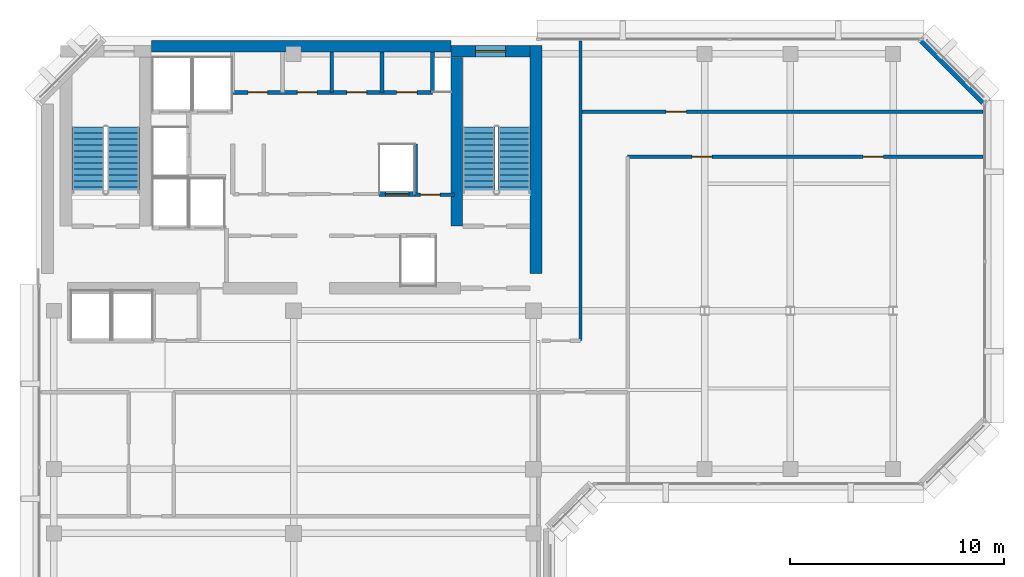
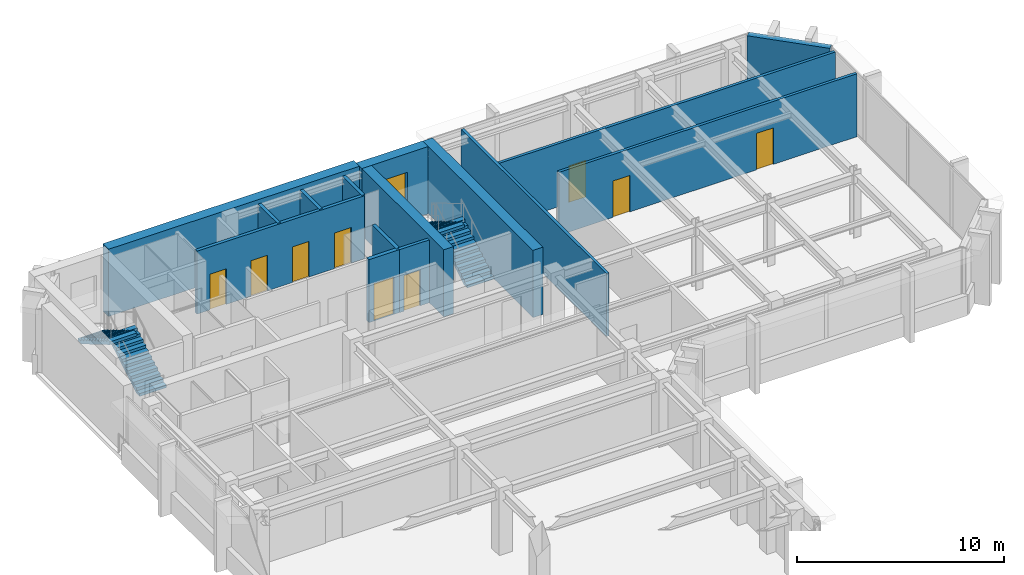
# One storey, part 8 of 11: 15 walls, 9 doors, 4 stair flights, 1 window, 10 openings, 2 elements without a shape of their own.
"""IFC4 building model written with IfcOpenShell, lengths in metres."""

import ifcopenshell
import ifcopenshell.guid

model = None  # the IFC model being written
_history = None  # IfcOwnerHistory: only IFC2X3 demands one
_inside = {}  # id of a spatial element -> (the spatial element, [elements in it])
_under = {}  # id of a project, library or spatial element -> (it, [spatial elements below it])
_declared = {}  # id of a project -> (the project, [libraries it declares])
_typed = {}  # id of a type object -> (the type object, [elements of that type])
_made_of = {}  # id of a material, layer set ... -> (it, [elements and type objects made of it])


def new_model(schema):
    """Start an empty IFC model of exactly this schema.

    Asked for "IFC4X3", IfcOpenShell would pick the latest addendum, in which some entities
    have other attributes; the version numbers below select the first issue.
    IFC2X3 requires an IfcOwnerHistory on every rooted entity: one is made here for all.
    """
    global model, _history
    if schema == "IFC4X3":
        model = ifcopenshell.file(schema_version=(4, 3, 0, 0))
    else:
        model = ifcopenshell.file(schema=schema)
    _inside.clear()
    _under.clear()
    _declared.clear()
    _typed.clear()
    _made_of.clear()
    _history = None
    if model.schema == "IFC2X3":
        org = make("IfcOrganization", Name="unknown")
        user = make(
            "IfcPersonAndOrganization",
            ThePerson=make("IfcPerson", FamilyName="unknown"),
            TheOrganization=org,
        )
        app = make(
            "IfcApplication",
            ApplicationDeveloper=org,
            Version="unknown",
            ApplicationFullName="unknown",
            ApplicationIdentifier="unknown",
        )
        _history = make(
            "IfcOwnerHistory",
            OwningUser=user,
            OwningApplication=app,
            ChangeAction="ADDED",
            CreationDate=0,
        )
    return model


def make(cls, **values):
    """One entity of the class cls with the attributes given. An attribute that is None is left unset."""
    return model.create_entity(
        cls, **{name: value for name, value in values.items() if value is not None}
    )


def rooted(cls, **values):
    """An entity with a GlobalId (a new one), such as an element, a storey or a relation."""
    return make(cls, GlobalId=ifcopenshell.guid.new(), OwnerHistory=_history, **values)


def si_unit(unit_type, name, prefix=None):
    """IfcSIUnit, for example si_unit("LENGTHUNIT", "METRE", prefix="MILLI")."""
    return make("IfcSIUnit", UnitType=unit_type, Prefix=prefix, Name=name)


def assignment(units):
    """IfcUnitAssignment: the units of a project."""
    return None if units is None else make("IfcUnitAssignment", Units=units)


def point(xyz):
    """IfcCartesianPoint."""
    return None if xyz is None else make("IfcCartesianPoint", Coordinates=xyz)


def direction(xyz):
    """IfcDirection."""
    return None if xyz is None else make("IfcDirection", DirectionRatios=xyz)


def frame(location, z_axis=None, x_axis=None):
    """IfcAxis2Placement3D, a coordinate frame: its origin and axes. An axis left out is left unset."""
    return make(
        "IfcAxis2Placement3D",
        Location=point(location),
        Axis=direction(z_axis),
        RefDirection=direction(x_axis),
    )


def frame_2d(location, x_axis=None):
    """IfcAxis2Placement2D, a coordinate frame in the plane: its origin and x axis."""
    return make(
        "IfcAxis2Placement2D", Location=point(location), RefDirection=direction(x_axis)
    )


def origin():
    """The frame at (0, 0, 0) with its axes left unset."""
    return frame((0.0, 0.0, 0.0))


def place(relative_to, where):
    """IfcLocalPlacement: puts the frame where relative to a parent placement (None: the world)."""
    return make(
        "IfcLocalPlacement", PlacementRelTo=relative_to, RelativePlacement=where
    )


def context(
    kind, dimensions, precision=None, world=None, true_north=None, identifier=None
):
    """IfcGeometricRepresentationContext, for example the 3D "Model" context."""
    return make(
        "IfcGeometricRepresentationContext",
        ContextIdentifier=identifier,
        ContextType=kind,
        CoordinateSpaceDimension=dimensions,
        Precision=precision,
        WorldCoordinateSystem=world,
        TrueNorth=true_north,
    )


def subcontext(parent, identifier, kind, view, scale=None):
    """IfcGeometricRepresentationSubContext, for example "Body" below "Model"."""
    return make(
        "IfcGeometricRepresentationSubContext",
        ContextIdentifier=identifier,
        ContextType=kind,
        ParentContext=parent,
        TargetScale=scale,
        TargetView=view,
    )


def project(units=None, contexts=None):
    """IfcProject with its units and contexts."""
    return rooted(
        "IfcProject",
        Name="project",
        RepresentationContexts=contexts,
        UnitsInContext=assignment(units),
    )


def spatial(cls, under=None, at=None, **own):
    """A site, building, storey or space (cls), placed at a placement, below another one or the project."""
    s = rooted(cls, ObjectPlacement=at, **own)
    if under is not None:
        _under.setdefault(under.id(), (under, []))[1].append(s)
    return s


def polyline(points):
    """IfcPolyline through the points."""
    return make("IfcPolyline", Points=[point(p) for p in points])


def profile(cls, at=None, kind="AREA", **sizes):
    """A parametric profile (cls). Its sizes go by their IFC names, for example OverallWidth=200.0."""
    return make(cls, ProfileType=kind, Position=at, **sizes)


def rectangle(**sizes):
    """IfcRectangleProfileDef."""
    return profile("IfcRectangleProfileDef", **sizes)


def outline(outer, holes=None, kind="AREA"):
    """IfcArbitraryClosedProfileDef: a profile drawn as a closed curve; with holes, ...WithVoids."""
    if holes is None:
        return make("IfcArbitraryClosedProfileDef", ProfileType=kind, OuterCurve=outer)
    return make(
        "IfcArbitraryProfileDefWithVoids",
        ProfileType=kind,
        OuterCurve=outer,
        InnerCurves=holes,
    )


def extrude(swept, where, along, depth):
    """IfcExtrudedAreaSolid: the profile swept, set in the frame where, extruded along a direction by depth."""
    return make(
        "IfcExtrudedAreaSolid",
        SweptArea=swept,
        Position=where,
        ExtrudedDirection=direction(along),
        Depth=depth,
    )


def shape(context_of_items, identifier, shape_type, items):
    """IfcShapeRepresentation: the items that make up one representation, for example the "Body"."""
    return make(
        "IfcShapeRepresentation",
        ContextOfItems=context_of_items,
        RepresentationIdentifier=identifier,
        RepresentationType=shape_type,
        Items=items,
    )


def material(Name=None, Category=None):
    """IfcMaterial."""
    return make("IfcMaterial", Name=Name, Category=Category)


def layer(
    of_material, thickness, ventilated=None, Name=None, Category=None, Priority=None
):
    """IfcMaterialLayer: one layer of a wall or slab, of a material (None: an air gap)."""
    return make(
        "IfcMaterialLayer",
        Material=of_material,
        LayerThickness=thickness,
        IsVentilated=ventilated,
        Name=Name,
        Category=Category,
        Priority=Priority,
    )


def layer_set(layers, Name=None):
    """IfcMaterialLayerSet."""
    return make("IfcMaterialLayerSet", MaterialLayers=layers, LayerSetName=Name)


def made_of(thing, what):
    """Note that an element or type object is made of a material, layer set ...; save() writes the relation."""
    if what is not None:
        _made_of.setdefault(what.id(), (what, []))[1].append(thing)
    return thing


def type_object(cls, material=None, **own):
    """A type object (cls), such as IfcWallType, which elements share."""
    return made_of(rooted(cls, **own), material)


def element(
    cls,
    number,
    at=None,
    inside=None,
    cuts=None,
    type_object=None,
    material=None,
    context=None,
    identifier="Body",
    shape_type=None,
    held_by="IfcProductDefinitionShape",
    body=None,
    shapes=None,
    **own,
):
    """One element of the class cls, such as IfcWall. Its Tag is "e" and its number.

    at: its placement. inside: the storey or other place that contains it. cuts: it is an
    opening in that element (IfcRelVoidsElement). A single representation is given by context,
    identifier, shape_type and body (its items); several are given by shapes. held_by: the class
    of the entity that holds the representations. save() writes the other relations.
    """
    e = rooted(cls, Tag="e%d" % number, ObjectPlacement=at, **own)
    if body is not None:
        shapes = [shape(context, identifier, shape_type, body)]
    if shapes is not None:
        e.Representation = make(held_by, Representations=shapes)
    if inside is not None:
        _inside.setdefault(inside.id(), (inside, []))[1].append(e)
    if cuts is not None:
        rooted(
            "IfcRelVoidsElement", RelatingBuildingElement=cuts, RelatedOpeningElement=e
        )
    if type_object is not None:
        _typed.setdefault(type_object.id(), (type_object, []))[1].append(e)
    return made_of(e, material)


def fill(opening, filler):
    """IfcRelFillsElement: the door or window that sits in an opening."""
    return rooted(
        "IfcRelFillsElement",
        RelatingOpeningElement=opening,
        RelatedBuildingElement=filler,
    )


def aggregate(whole, parts):
    """IfcRelAggregates: a whole, such as a stair, and the parts it consists of."""
    return rooted("IfcRelAggregates", RelatingObject=whole, RelatedObjects=parts)


def save(model, path):
    """Write the relations noted so far, then the file.

    IfcRelAggregates (storeys below a building ...), IfcRelContainedInSpatialStructure (elements
    in a storey), IfcRelDefinesByType, IfcRelAssociatesMaterial and IfcRelDeclares: one each for
    every whole, place, type object, material and project.
    """
    for whole, parts in _under.values():
        aggregate(whole, parts)
    for where, things in _inside.values():
        rooted(
            "IfcRelContainedInSpatialStructure",
            RelatedElements=things,
            RelatingStructure=where,
        )
    for kind, things in _typed.values():
        rooted("IfcRelDefinesByType", RelatedObjects=things, RelatingType=kind)
    for what, things in _made_of.values():
        rooted("IfcRelAssociatesMaterial", RelatedObjects=things, RelatingMaterial=what)
    for by, libraries in _declared.values():
        rooted("IfcRelDeclares", RelatingContext=by, RelatedDefinitions=libraries)
    model.write(path)


model = new_model("IFC4")

# Units and contexts
model_context = context("Model", 3, precision=1e-05, world=origin(), true_north=direction((0.0, 1.0)))
body_context = subcontext(model_context, "Body", "Model", "MODEL_VIEW")
ifc_project = project(units=[si_unit("LENGTHUNIT", "METRE"), si_unit("AREAUNIT", "SQUARE_METRE"), si_unit("VOLUMEUNIT", "CUBIC_METRE"), si_unit("PLANEANGLEUNIT", "RADIAN"), si_unit("MASSUNIT", "GRAM", prefix="KILO")], contexts=[model_context])

# Site, building, storey
site_placement = place(None, origin())
site = spatial("IfcSite", under=ifc_project, at=site_placement, CompositionType="ELEMENT")
building_placement = place(site_placement, origin())
building = spatial("IfcBuilding", under=site, at=building_placement, Name="Kefirva Bronze Tower", CompositionType="ELEMENT")
storey_placement = place(building_placement, frame((0.0, 0.0, 343.530029296875)))
storey = spatial("IfcBuildingStorey", under=building, at=storey_placement, Name="L84", CompositionType="ELEMENT", Elevation=343.530029296875)

# Wall
ifc_material_1 = material(Name="Gypsum fireboard shaftwall")
ifc_layer_1 = layer(ifc_material_1, 0.219970703125, Name="Gypsum fireboard shaftwall")
ifc_layer_set_1 = layer_set([ifc_layer_1], Name="Gypsum fireboard shaftwall")
wall_type_1 = type_object("IfcWallType", Name="Fire-Rated Shaft Enclosure Wall 220mm", PredefinedType="PARTITIONING", material=ifc_layer_set_1)
wall_1_placement = place(storey_placement, frame((17.679931640625, 38.64990234375, 0.0), z_axis=(0.0, 0.0, 1.0), x_axis=(0.0, 1.0, 0.0)))
element("IfcWall", 1, at=wall_1_placement, inside=storey, type_object=wall_type_1, Name="L84 Partition W-L84-HP2E", PredefinedType="PARTITIONING", context=body_context, shape_type="SweptSolid", body=[
    extrude(rectangle(XDim=2.35009765625, YDim=0.199951171875, at=frame_2d((1.175048828125, 0.0))), origin(), (0.0, 0.0, 1.0), 3.7099609375),
])

# Wall, opening, door
wall_2_placement = place(storey_placement, frame((15.97998046875, 38.64990234375, 0.0), z_axis=(0.0, 0.0, 1.0), x_axis=(1.0, 0.0, 0.0)))
wall_2 = element("IfcWall", 2, at=wall_2_placement, inside=storey, type_object=wall_type_1, Name="L84 Partition W-L84-HPN", PredefinedType="PARTITIONING", context=body_context, shape_type="SweptSolid", body=[
    extrude(rectangle(XDim=1.719970703125, YDim=0.219970703125, at=frame_2d((0.85986328125, 0.0))), origin(), (0.0, 0.0, 1.0), 3.7099609375),
])
opening_1_placement = place(wall_2_placement, frame((0.300048828125, 0.0, 0.0)))
opening_1 = element("IfcOpeningElement", 3, at=opening_1_placement, cuts=wall_2, Name="Opening L84-LD-HP2", PredefinedType="OPENING", context=body_context, shape_type="SweptSolid", body=[
    extrude(rectangle(XDim=1.10009765625, YDim=2.199951171875, at=frame_2d((0.550048828125, 1.10009765625))), frame((0.0, 0.1201171875, 0.0), z_axis=(0.0, -1.0, 0.0), x_axis=(1.0, 0.0, 0.0)), (0.0, 0.0, 1.0), 0.239990234375),
])
ifc_material_2 = material(Name="Stainless steel 316", Category="steel")
door_type_1 = type_object("IfcDoorType", Name="Passenger Lift Sliding Landing Door 1100x2200", OperationType="SLIDING_TO_LEFT", PredefinedType="DOOR", material=ifc_material_2)
door_1_placement = place(opening_1_placement, origin())
door_1 = element("IfcDoor", 4, at=door_1_placement, inside=storey, type_object=door_type_1, Name="Door L84-LD-HP2", OperationType="SLIDING_TO_LEFT", OverallHeight=2.199951171875, OverallWidth=1.10009765625, PredefinedType="DOOR", context=body_context, shape_type="SweptSolid", body=[
    extrude(rectangle(XDim=1.10009765625, YDim=2.199951171875, at=frame_2d((0.550048828125, 1.10009765625))), frame((0.0, 0.02490234375, 0.0), z_axis=(0.0, -1.0, 0.0), x_axis=(1.0, 0.0, 0.0)), (0.0, 0.0, 1.0), 0.050048828125),
])
fill(opening_1, door_1)

ifc_material_3 = material(Name="Gypsum fireboard barrier")
ifc_layer_2 = layer(ifc_material_3, 0.199951171875, Name="Gypsum fireboard barrier")
ifc_layer_set_2 = layer_set([ifc_layer_2], Name="Gypsum fireboard barrier")
wall_type_2 = type_object("IfcWallType", Name="Firefighting Lobby Barrier Wall 200mm", PredefinedType="PARTITIONING", material=ifc_layer_set_2)
wall_3_placement = place(storey_placement, frame((17.679931640625, 38.6201171875, 0.0), z_axis=(0.0, 0.0, 1.0), x_axis=(1.0, 0.0, 0.0)))
wall_3 = element("IfcWall", 5, at=wall_3_placement, inside=storey, type_object=wall_type_2, Name="L84 Partition W-L84-CPASS", PredefinedType="PARTITIONING", context=body_context, shape_type="SweptSolid", body=[
    extrude(rectangle(XDim=1.840087890625, YDim=0.179931640625, at=frame_2d((0.919921875, 0.0))), origin(), (0.0, 0.0, 1.0), 3.7099609375),
])
opening_2_placement = place(wall_3_placement, frame((0.239990234375, 0.0, 0.0)))
opening_2 = element("IfcOpeningElement", 6, at=opening_2_placement, cuts=wall_3, Name="Opening L84-D-CPAS", PredefinedType="OPENING", context=body_context, shape_type="SweptSolid", body=[
    extrude(rectangle(XDim=0.919921875, YDim=2.10009765625, at=frame_2d((0.4599609375, 1.050048828125))), frame((0.0, 0.10009765625, 0.0), z_axis=(0.0, -1.0, 0.0), x_axis=(1.0, 0.0, 0.0)), (0.0, 0.0, 1.0), 0.199951171875),
])
ifc_material_4 = material(Name="Moisture-resistant timber", Category="wood")
door_type_2 = type_object("IfcDoorType", Name="Accessible Sanitary & WC Door 920x2100", OperationType="NOTDEFINED", PredefinedType="DOOR", material=ifc_material_4)
door_2_placement = place(opening_2_placement, origin())
door_2 = element("IfcDoor", 7, at=door_2_placement, inside=storey, type_object=door_type_2, Name="Door L84-D-CPAS", OperationType="SINGLE_SWING_RIGHT", OverallHeight=2.10009765625, OverallWidth=0.919921875, PredefinedType="DOOR", context=body_context, shape_type="SweptSolid", body=[
    extrude(rectangle(XDim=0.919921875, YDim=2.10009765625, at=frame_2d((0.4599609375, 1.050048828125))), frame((0.0, 0.02490234375, 0.0), z_axis=(0.0, -1.0, 0.0), x_axis=(1.0, 0.0, 0.0)), (0.0, 0.0, 1.0), 0.050048828125),
])
fill(opening_2, door_2)

# Walls
ifc_material_5 = material(Name="Precast concrete C40/50", Category="concrete")
ifc_layer_3 = layer(ifc_material_5, 0.320068359375, Name="Precast concrete C40/50")
ifc_layer_set_3 = layer_set([ifc_layer_3], Name="Precast concrete C40/50")
wall_type_3 = type_object("IfcWallType", Name="Precast Insulated Exterior Wall 320mm", PredefinedType="SOLIDWALL", material=ifc_layer_set_3)
wall_4_placement = place(storey_placement, frame((44.248046875, 42.92578125, 0.0), z_axis=(0.0, 0.0, 1.0), x_axis=(-0.707136318428, 0.707077242712, 0.0)))
element("IfcWall", 8, at=wall_4_placement, inside=storey, type_object=wall_type_3, Name="L84 Exterior Facade Wall 5", PredefinedType="SOLIDWALL", context=body_context, shape_type="SweptSolid", body=[
    extrude(rectangle(XDim=4.132568359375, YDim=0.320068359375, at=frame_2d((2.06640625, 0.0))), origin(), (0.0, 0.0, 1.0), 3.7099609375),
])
ifc_material_6 = material(Name="Gypsum acoustic partition")
ifc_layer_4 = layer(ifc_material_6, 0.159912109375, Name="Gypsum acoustic partition")
ifc_layer_set_4 = layer_set([ifc_layer_4], Name="Gypsum acoustic partition")
wall_type_4 = type_object("IfcWallType", Name="Protected Corridor Partition 160mm", PredefinedType="PARTITIONING", material=ifc_layer_set_4)
wall_5_placement = place(storey_placement, frame((25.39990234375, 31.800048828125, 0.0), z_axis=(0.0, 0.0, 1.0), x_axis=(0.0, 1.0, 0.0)))
element("IfcWall", 9, at=wall_5_placement, inside=storey, type_object=wall_type_4, Name="L84 Partition W-L84-E31W", PredefinedType="PARTITIONING", context=body_context, shape_type="SweptSolid", body=[
    extrude(rectangle(XDim=14.010009765625, YDim=0.159912109375, at=frame_2d((7.0048828125, 0.0))), origin(), (0.0, 0.0, 1.0), 3.7099609375),
])

# Wall, openings, doors
wall_6_placement = place(storey_placement, frame((27.60009765625, 40.39990234375, 0.0), z_axis=(0.0, 0.0, 1.0), x_axis=(1.0, 0.0, 0.0)))
wall_6 = element("IfcWall", 10, at=wall_6_placement, inside=storey, type_object=wall_type_4, Name="L84 Partition W-L84-E31S", PredefinedType="PARTITIONING", context=body_context, shape_type="SweptSolid", body=[
    extrude(rectangle(XDim=16.60986328125, YDim=0.159912109375, at=frame_2d((8.304931640625, 0.0))), origin(), (0.0, 0.0, 1.0), 3.7099609375),
])
opening_3_placement = place(wall_6_placement, frame((3.949951171875, 0.0, 0.0), z_axis=(0.0, 0.0, 1.0), x_axis=(-1.0, 0.0, 0.0)))
opening_3 = element("IfcOpeningElement", 11, at=opening_3_placement, cuts=wall_6, Name="Opening L84-D-E31BIG1", PredefinedType="OPENING", context=body_context, shape_type="SweptSolid", body=[
    extrude(rectangle(XDim=0.949951171875, YDim=2.14990234375, at=frame_2d((0.47509765625, 1.074951171875))), frame((0.0, 0.08984375, 0.0), z_axis=(0.0, -1.0, 0.0), x_axis=(1.0, 0.0, 0.0)), (0.0, 0.0, 1.0), 0.179931640625),
])
opening_4_placement = place(wall_6_placement, frame((11.949951171875, 0.0, 0.0), z_axis=(0.0, 0.0, 1.0), x_axis=(-1.0, 0.0, 0.0)))
opening_4 = element("IfcOpeningElement", 12, at=opening_4_placement, cuts=wall_6, Name="Opening L84-D-E31BIG2", PredefinedType="OPENING", context=body_context, shape_type="SweptSolid", body=[
    extrude(rectangle(XDim=0.949951171875, YDim=2.14990234375, at=frame_2d((0.47509765625, 1.074951171875))), frame((0.0, 0.08984375, 0.0), z_axis=(0.0, -1.0, 0.0), x_axis=(1.0, 0.0, 0.0)), (0.0, 0.0, 1.0), 0.179931640625),
])
ifc_material_7 = material(Name="Acoustic hardwood oak", Category="wood")
door_type_3 = type_object("IfcDoorType", Name="Office & Meeting Room Door 950x2150", OperationType="NOTDEFINED", PredefinedType="DOOR", material=ifc_material_7)
door_3_placement = place(opening_3_placement, origin())
door_3 = element("IfcDoor", 13, at=door_3_placement, inside=storey, type_object=door_type_3, Name="Door L84-D-E31BIG1", OperationType="SINGLE_SWING_RIGHT", OverallHeight=2.14990234375, OverallWidth=0.949951171875, PredefinedType="DOOR", context=body_context, shape_type="SweptSolid", body=[
    extrude(rectangle(XDim=0.949951171875, YDim=2.14990234375, at=frame_2d((0.47509765625, 1.074951171875))), frame((0.0, 0.02490234375, 0.0), z_axis=(0.0, -1.0, 0.0), x_axis=(1.0, 0.0, 0.0)), (0.0, 0.0, 1.0), 0.050048828125),
])
fill(opening_3, door_3)
door_4_placement = place(opening_4_placement, origin())
door_4 = element("IfcDoor", 14, at=door_4_placement, inside=storey, type_object=door_type_3, Name="Door L84-D-E31BIG2", OperationType="SINGLE_SWING_LEFT", OverallHeight=2.14990234375, OverallWidth=0.949951171875, PredefinedType="DOOR", context=body_context, shape_type="SweptSolid", body=[
    extrude(rectangle(XDim=0.949951171875, YDim=2.14990234375, at=frame_2d((0.47509765625, 1.074951171875))), frame((0.0, 0.02490234375, 0.0), z_axis=(0.0, -1.0, 0.0), x_axis=(1.0, 0.0, 0.0)), (0.0, 0.0, 1.0), 0.050048828125),
])
fill(opening_4, door_4)

# Wall, opening, door
wall_7_placement = place(storey_placement, frame((25.39990234375, 42.5, 0.0), z_axis=(0.0, 0.0, 1.0), x_axis=(1.0, 0.0, 0.0)))
wall_7 = element("IfcWall", 15, at=wall_7_placement, inside=storey, type_object=wall_type_4, Name="L84 Partition W-L84-E31N", PredefinedType="PARTITIONING", context=body_context, shape_type="SweptSolid", body=[
    extrude(rectangle(XDim=18.81005859375, YDim=0.159912109375, at=frame_2d((9.405029296875, 0.0))), origin(), (0.0, 0.0, 1.0), 3.7099609375),
])
opening_5_placement = place(wall_7_placement, frame((4.0, 0.0, 0.0)))
opening_5 = element("IfcOpeningElement", 16, at=opening_5_placement, cuts=wall_7, Name="Opening L84-D-E31N1", PredefinedType="OPENING", context=body_context, shape_type="SweptSolid", body=[
    extrude(rectangle(XDim=0.949951171875, YDim=2.14990234375, at=frame_2d((0.47509765625, 1.074951171875))), frame((0.0, 0.08984375, 0.0), z_axis=(0.0, -1.0, 0.0), x_axis=(1.0, 0.0, 0.0)), (0.0, 0.0, 1.0), 0.179931640625),
])
door_5_placement = place(opening_5_placement, origin())
door_5 = element("IfcDoor", 17, at=door_5_placement, inside=storey, type_object=door_type_3, Name="Door L84-D-E31N1", OperationType="SINGLE_SWING_RIGHT", OverallHeight=2.14990234375, OverallWidth=0.949951171875, PredefinedType="DOOR", context=body_context, shape_type="SweptSolid", body=[
    extrude(rectangle(XDim=0.949951171875, YDim=2.14990234375, at=frame_2d((0.47509765625, 1.074951171875))), frame((0.0, 0.02490234375, 0.0), z_axis=(0.0, -1.0, 0.0), x_axis=(1.0, 0.0, 0.0)), (0.0, 0.0, 1.0), 0.050048828125),
])
fill(opening_5, door_5)

# Wall
ifc_material_8 = material(Name="Concrete C50/60", Category="concrete")
ifc_layer_5 = layer(ifc_material_8, 0.550048828125, Name="Concrete C50/60")
ifc_layer_set_5 = layer_set([ifc_layer_5], Name="Concrete C50/60")
wall_type_5 = type_object("IfcWallType", Name="RC Rear Core Exterior Wall 550mm", PredefinedType="SHEAR", material=ifc_layer_set_5)
wall_8_placement = place(storey_placement, frame((5.360107421875, 45.550048828125, 0.0), z_axis=(0.0, 0.0, 1.0), x_axis=(1.0, 0.0, 0.0)))
element("IfcWall", 18, at=wall_8_placement, inside=storey, type_object=wall_type_5, Name="L84 Rear Core North Shear Wall", PredefinedType="SHEAR", context=body_context, shape_type="SweptSolid", body=[
    extrude(rectangle(XDim=13.97998046875, YDim=0.550048828125, at=frame_2d((6.989990234375, 0.0))), origin(), (0.0, 0.0, 1.0), 3.9599609375),
])

# Wall, opening, window
wall_9_placement = place(storey_placement, frame((19.35009765625, 45.320068359375, 0.0), z_axis=(0.0, 0.0, 1.0), x_axis=(1.0, 0.0, 0.0)))
wall_9 = element("IfcWall", 19, at=wall_9_placement, inside=storey, type_object=wall_type_5, Name="L84 Stair 2 North Shear Wall", PredefinedType="SHEAR", context=body_context, shape_type="SweptSolid", body=[
    extrude(rectangle(XDim=3.68994140625, YDim=0.550048828125, at=frame_2d((1.844970703125, 0.0))), origin(), (0.0, 0.0, 1.0), 3.9599609375),
])
opening_6_placement = place(wall_9_placement, frame((1.14990234375, 0.0, 1.050048828125)))
opening_6 = element("IfcOpeningElement", 20, at=opening_6_placement, cuts=wall_9, Name="Opening WN-03", PredefinedType="OPENING", context=body_context, shape_type="SweptSolid", body=[
    extrude(rectangle(XDim=1.39990234375, YDim=1.800048828125, at=frame_2d((0.699951171875, 0.89990234375))), frame((0.0, 0.28515625, 0.0), z_axis=(0.0, -1.0, 0.0), x_axis=(1.0, 0.0, 0.0)), (0.0, 0.0, 1.0), 0.570068359375),
])
ifc_material_9 = material(Name="Laminated low-E double glazing", Category="glass")
window_type = type_object("IfcWindowType", Name="Rear-Core Stair Daylight Window 1400x1800", PartitioningType="SINGLE_PANEL", PredefinedType="WINDOW", material=ifc_material_9)
window_placement = place(opening_6_placement, origin())
window = element("IfcWindow", 21, at=window_placement, inside=storey, type_object=window_type, Name="L84 Stair 2 Daylight Window", OverallHeight=1.800048828125, OverallWidth=1.39990234375, PartitioningType="SINGLE_PANEL", PredefinedType="WINDOW", context=body_context, shape_type="SweptSolid", body=[
    extrude(rectangle(XDim=1.39990234375, YDim=1.800048828125, at=frame_2d((0.699951171875, 0.89990234375))), frame((0.0, 0.030029296875, 0.0), z_axis=(0.0, -1.0, 0.0), x_axis=(1.0, 0.0, 0.0)), (0.0, 0.0, 1.0), 0.06005859375),
])
fill(opening_6, window)

# Walls
ifc_layer_6 = layer(ifc_material_8, 0.550048828125, Name="Concrete C50/60")
ifc_layer_set_6 = layer_set([ifc_layer_6], Name="Concrete C50/60")
wall_type_6 = type_object("IfcWallType", Name="RC Rear Core Interior Wall 550mm", PredefinedType="SHEAR", material=ifc_layer_set_6)
wall_10_placement = place(storey_placement, frame((23.324951171875, 34.949951171875, 0.0), z_axis=(0.0, 0.0, 1.0), x_axis=(0.0, 1.0, 0.0)))
element("IfcWall", 22, at=wall_10_placement, inside=storey, type_object=wall_type_6, Name="L84 Rear Core East Shear Wall", PredefinedType="SHEAR", context=body_context, shape_type="SweptSolid", body=[
    extrude(rectangle(XDim=10.64013671875, YDim=0.550048828125, at=frame_2d((5.320068359375, 0.0))), origin(), (0.0, 0.0, 1.0), 3.9599609375),
])
wall_11_placement = place(storey_placement, frame((19.6201171875, 37.14990234375, 0.0), z_axis=(0.0, 0.0, 1.0), x_axis=(0.0, 1.0, 0.0)))
element("IfcWall", 23, at=wall_11_placement, inside=storey, type_object=wall_type_6, Name="L84 Stair 2 West Shear Wall", PredefinedType="SHEAR", context=body_context, shape_type="SweptSolid", body=[
    extrude(rectangle(XDim=7.89013671875, YDim=0.550048828125, at=frame_2d((3.945068359375, 0.0))), origin(), (0.0, 0.0, 1.0), 3.9599609375),
])

# Wall, openings, doors
ifc_material_10 = material(Name="Moisture-resistant partition")
ifc_layer_7 = layer(ifc_material_10, 0.179931640625, Name="Moisture-resistant partition")
ifc_layer_set_7 = layer_set([ifc_layer_7], Name="Moisture-resistant partition")
wall_type_7 = type_object("IfcWallType", Name="Sanitary Plumbing Chase Wall 180mm", PredefinedType="PLUMBINGWALL", material=ifc_layer_set_7)
wall_12_placement = place(storey_placement, frame((9.14990234375, 43.39990234375, 0.0), z_axis=(0.0, 0.0, 1.0), x_axis=(1.0, 0.0, 0.0)))
wall_12 = element("IfcWall", 24, at=wall_12_placement, inside=storey, type_object=wall_type_7, Name="L84 Partition W-L84-SVCS", PredefinedType="PLUMBINGWALL", context=body_context, shape_type="SweptSolid", body=[
    extrude(rectangle(XDim=9.330078125, YDim=0.179931640625, at=frame_2d((4.6650390625, 0.0))), origin(), (0.0, 0.0, 1.0), 3.7099609375),
])
opening_7_placement = place(wall_12_placement, frame((0.719970703125, 0.0, 0.0)))
opening_7 = element("IfcOpeningElement", 25, at=opening_7_placement, cuts=wall_12, Name="Opening L84-D-CSVC1", PredefinedType="OPENING", context=body_context, shape_type="SweptSolid", body=[
    extrude(rectangle(XDim=0.919921875, YDim=2.10009765625, at=frame_2d((0.4599609375, 1.050048828125))), frame((0.0, 0.10009765625, 0.0), z_axis=(0.0, -1.0, 0.0), x_axis=(1.0, 0.0, 0.0)), (0.0, 0.0, 1.0), 0.199951171875),
])
opening_8_placement = place(wall_12_placement, frame((3.02001953125, 0.0, 0.0)))
opening_8 = element("IfcOpeningElement", 26, at=opening_8_placement, cuts=wall_12, Name="Opening L84-D-CSVC2", PredefinedType="OPENING", context=body_context, shape_type="SweptSolid", body=[
    extrude(rectangle(XDim=0.919921875, YDim=2.10009765625, at=frame_2d((0.4599609375, 1.050048828125))), frame((0.0, 0.10009765625, 0.0), z_axis=(0.0, -1.0, 0.0), x_axis=(1.0, 0.0, 0.0)), (0.0, 0.0, 1.0), 0.199951171875),
])
opening_9_placement = place(wall_12_placement, frame((5.340087890625, 0.0, 0.0)))
opening_9 = element("IfcOpeningElement", 27, at=opening_9_placement, cuts=wall_12, Name="Opening L84-D-CSVC3", PredefinedType="OPENING", context=body_context, shape_type="SweptSolid", body=[
    extrude(rectangle(XDim=0.919921875, YDim=2.10009765625, at=frame_2d((0.4599609375, 1.050048828125))), frame((0.0, 0.10009765625, 0.0), z_axis=(0.0, -1.0, 0.0), x_axis=(1.0, 0.0, 0.0)), (0.0, 0.0, 1.0), 0.199951171875),
])
opening_10_placement = place(wall_12_placement, frame((7.659912109375, 0.0, 0.0)))
opening_10 = element("IfcOpeningElement", 28, at=opening_10_placement, cuts=wall_12, Name="Opening L84-D-CSVC4", PredefinedType="OPENING", context=body_context, shape_type="SweptSolid", body=[
    extrude(rectangle(XDim=0.949951171875, YDim=2.10009765625, at=frame_2d((0.47509765625, 1.050048828125))), frame((0.0, 0.10009765625, 0.0), z_axis=(0.0, -1.0, 0.0), x_axis=(1.0, 0.0, 0.0)), (0.0, 0.0, 1.0), 0.199951171875),
])
door_6_placement = place(opening_7_placement, origin())
door_6 = element("IfcDoor", 29, at=door_6_placement, inside=storey, type_object=door_type_2, Name="Door L84-D-CSVC1", OperationType="SINGLE_SWING_LEFT", OverallHeight=2.10009765625, OverallWidth=0.919921875, PredefinedType="DOOR", context=body_context, shape_type="SweptSolid", body=[
    extrude(rectangle(XDim=0.919921875, YDim=2.10009765625, at=frame_2d((0.4599609375, 1.050048828125))), frame((0.0, 0.02490234375, 0.0), z_axis=(0.0, -1.0, 0.0), x_axis=(1.0, 0.0, 0.0)), (0.0, 0.0, 1.0), 0.050048828125),
])
fill(opening_7, door_6)
door_7_placement = place(opening_8_placement, origin())
door_7 = element("IfcDoor", 30, at=door_7_placement, inside=storey, type_object=door_type_2, Name="Door L84-D-CSVC2", OperationType="SINGLE_SWING_RIGHT", OverallHeight=2.10009765625, OverallWidth=0.919921875, PredefinedType="DOOR", context=body_context, shape_type="SweptSolid", body=[
    extrude(rectangle(XDim=0.919921875, YDim=2.10009765625, at=frame_2d((0.4599609375, 1.050048828125))), frame((0.0, 0.02490234375, 0.0), z_axis=(0.0, -1.0, 0.0), x_axis=(1.0, 0.0, 0.0)), (0.0, 0.0, 1.0), 0.050048828125),
])
fill(opening_8, door_7)
door_8_placement = place(opening_9_placement, origin())
door_8 = element("IfcDoor", 31, at=door_8_placement, inside=storey, type_object=door_type_2, Name="Door L84-D-CSVC3", OperationType="SINGLE_SWING_LEFT", OverallHeight=2.10009765625, OverallWidth=0.919921875, PredefinedType="DOOR", context=body_context, shape_type="SweptSolid", body=[
    extrude(rectangle(XDim=0.919921875, YDim=2.10009765625, at=frame_2d((0.4599609375, 1.050048828125))), frame((0.0, 0.02490234375, 0.0), z_axis=(0.0, -1.0, 0.0), x_axis=(1.0, 0.0, 0.0)), (0.0, 0.0, 1.0), 0.050048828125),
])
fill(opening_9, door_8)
ifc_material_11 = material(Name="Painted galvanized steel", Category="steel")
door_type_4 = type_object("IfcDoorType", Name="Riser & Plant Shaft Fire Door 950x2100 FD60S", OperationType="NOTDEFINED", PredefinedType="DOOR", material=ifc_material_11)
door_9_placement = place(opening_10_placement, origin())
door_9 = element("IfcDoor", 32, at=door_9_placement, inside=storey, type_object=door_type_4, Name="Door L84-D-CSVC4", OperationType="SINGLE_SWING_RIGHT", OverallHeight=2.10009765625, OverallWidth=0.949951171875, PredefinedType="DOOR", context=body_context, shape_type="SweptSolid", body=[
    extrude(rectangle(XDim=0.949951171875, YDim=2.10009765625, at=frame_2d((0.47509765625, 1.050048828125))), frame((0.0, 0.02490234375, 0.0), z_axis=(0.0, -1.0, 0.0), x_axis=(1.0, 0.0, 0.0)), (0.0, 0.0, 1.0), 0.050048828125),
])
fill(opening_10, door_9)

# Walls
for number, where, z_axis, x_axis, name in (
    (33, (18.47998046875, 43.39990234375, 0.0), (0.0, 0.0, 1.0), (0.0, 1.0, 0.0), "L84 Partition W-L84-SVCE"),
    (34, (13.780029296875, 43.39990234375, 0.0), (0.0, 0.0, 1.0), (0.0, 1.0, 0.0), "L84 Partition W-L84-CSVD-2"),
    (35, (16.1201171875, 43.39990234375, 0.0), (0.0, 0.0, 1.0), (0.0, 1.0, 0.0), "L84 Partition W-L84-CSVD-3"),
):
    element("IfcWall", number, at=place(storey_placement, frame(where, z_axis=z_axis, x_axis=x_axis)), inside=storey, type_object=wall_type_7, Name=name, PredefinedType="PLUMBINGWALL", context=body_context, shape_type="SweptSolid", body=[
        extrude(rectangle(XDim=1.880126953125, YDim=0.179931640625, at=frame_2d((0.93994140625, 0.0))), origin(), (0.0, 0.0, 1.0), 3.7099609375),
    ])

# Stair, stair flights
ifc_material_12 = material(Name="Concrete C40/50", Category="concrete")
stair_type = type_object("IfcStairType", Name="RC Dogleg Protected Stair 24R", PredefinedType="HALF_TURN_STAIR", material=ifc_material_12)
stair_1_placement = place(storey_placement, origin())
stair_1 = element("IfcStair", 36, at=stair_1_placement, inside=storey, type_object=stair_type, Name="L84 Protected Exit Stair 1", PredefinedType="HALF_TURN_STAIR")
stair_flight_type = type_object("IfcStairFlightType", Name="RC Straight Stair Flight 24R", PredefinedType="STRAIGHT", material=ifc_material_12)
stair_flight_1_placement = place(storey_placement, frame((4.050048828125, 38.699951171875, 0.0), z_axis=(0.0, 0.0, 1.0), x_axis=(0.0, 1.0, 0.0)))
stair_flight_1 = element("IfcStairFlight", 37, at=stair_flight_1_placement, type_object=stair_flight_type, Name="ST-1 flight 1", NumberOfRisers=12, NumberOfTreads=11, PredefinedType="STRAIGHT", RiserHeight=0.165, TreadLength=0.28, context=body_context, shape_type="SweptSolid", body=[
    extrude(outline(polyline([(0.0, 0.0), (0.0, 0.1650390625), (0.280029296875, 0.1650390625), (0.280029296875, 0.330078125), (0.56005859375, 0.330078125), (0.56005859375, 0.4951171875), (0.840087890625, 0.4951171875), (0.840087890625, 0.659912109375), (1.1201171875, 0.659912109375), (1.1201171875, 0.824951171875), (1.39990234375, 0.824951171875), (1.39990234375, 0.989990234375), (1.679931640625, 0.989990234375), (1.679931640625, 1.155029296875), (1.9599609375, 1.155029296875), (1.9599609375, 1.320068359375), (2.239990234375, 1.320068359375), (2.239990234375, 1.485107421875), (2.52001953125, 1.485107421875), (2.52001953125, 1.64990234375), (2.800048828125, 1.64990234375), (2.800048828125, 1.81494140625), (3.080078125, 1.81494140625), (3.080078125, 1.97998046875), (3.080078125, 1.64111328125), (0.295166015625, 0.0), (0.0, 0.0)])), frame((0.0, 0.75, 0.0), z_axis=(0.0, -1.0, 0.0), x_axis=(1.0, 0.0, 0.0)), (0.0, 0.0, 1.0), 1.5),
])
stair_flight_2_placement = place(storey_placement, frame((2.39990234375, 41.780029296875, 1.97998046875), z_axis=(0.0, 0.0, 1.0), x_axis=(0.0, -1.0, 0.0)))
stair_flight_2 = element("IfcStairFlight", 38, at=stair_flight_2_placement, type_object=stair_flight_type, Name="ST-1 flight 2", NumberOfRisers=12, NumberOfTreads=11, PredefinedType="STRAIGHT", RiserHeight=0.165, TreadLength=0.28, context=body_context, shape_type="SweptSolid", body=[
    extrude(outline(polyline([(0.0, 0.0), (0.0, 0.1650390625), (0.280029296875, 0.1650390625), (0.280029296875, 0.330078125), (0.56005859375, 0.330078125), (0.56005859375, 0.4951171875), (0.840087890625, 0.4951171875), (0.840087890625, 0.659912109375), (1.1201171875, 0.659912109375), (1.1201171875, 0.824951171875), (1.39990234375, 0.824951171875), (1.39990234375, 0.989990234375), (1.679931640625, 0.989990234375), (1.679931640625, 1.155029296875), (1.9599609375, 1.155029296875), (1.9599609375, 1.320068359375), (2.239990234375, 1.320068359375), (2.239990234375, 1.485107421875), (2.52001953125, 1.485107421875), (2.52001953125, 1.64990234375), (2.800048828125, 1.64990234375), (2.800048828125, 1.81494140625), (3.080078125, 1.81494140625), (3.080078125, 1.97998046875), (3.080078125, 1.64111328125), (0.295166015625, 0.0), (0.0, 0.0)])), frame((0.0, 0.75, 0.0), z_axis=(0.0, -1.0, 0.0), x_axis=(1.0, 0.0, 0.0)), (0.0, 0.0, 1.0), 1.5),
])
aggregate(stair_1, [stair_flight_1, stair_flight_2])

stair_2_placement = place(storey_placement, origin())
stair_2 = element("IfcStair", 39, at=stair_2_placement, inside=storey, type_object=stair_type, Name="L84 Protected Exit Stair 2", PredefinedType="HALF_TURN_STAIR")
stair_flight_3_placement = place(storey_placement, frame((22.300048828125, 38.699951171875, 0.0), z_axis=(0.0, 0.0, 1.0), x_axis=(0.0, 1.0, 0.0)))
stair_flight_3 = element("IfcStairFlight", 40, at=stair_flight_3_placement, type_object=stair_flight_type, Name="ST-2 flight 1", NumberOfRisers=12, NumberOfTreads=11, PredefinedType="STRAIGHT", RiserHeight=0.165, TreadLength=0.28, context=body_context, shape_type="SweptSolid", body=[
    extrude(outline(polyline([(0.0, 0.0), (0.0, 0.1650390625), (0.280029296875, 0.1650390625), (0.280029296875, 0.330078125), (0.56005859375, 0.330078125), (0.56005859375, 0.4951171875), (0.840087890625, 0.4951171875), (0.840087890625, 0.659912109375), (1.1201171875, 0.659912109375), (1.1201171875, 0.824951171875), (1.39990234375, 0.824951171875), (1.39990234375, 0.989990234375), (1.679931640625, 0.989990234375), (1.679931640625, 1.155029296875), (1.9599609375, 1.155029296875), (1.9599609375, 1.320068359375), (2.239990234375, 1.320068359375), (2.239990234375, 1.485107421875), (2.52001953125, 1.485107421875), (2.52001953125, 1.64990234375), (2.800048828125, 1.64990234375), (2.800048828125, 1.81494140625), (3.080078125, 1.81494140625), (3.080078125, 1.97998046875), (3.080078125, 1.64111328125), (0.295166015625, 0.0), (0.0, 0.0)])), frame((0.0, 0.75, 0.0), z_axis=(0.0, -1.0, 0.0), x_axis=(1.0, 0.0, 0.0)), (0.0, 0.0, 1.0), 1.5),
])
stair_flight_4_placement = place(storey_placement, frame((20.64990234375, 41.780029296875, 1.97998046875), z_axis=(0.0, 0.0, 1.0), x_axis=(0.0, -1.0, 0.0)))
stair_flight_4 = element("IfcStairFlight", 41, at=stair_flight_4_placement, type_object=stair_flight_type, Name="ST-2 flight 2", NumberOfRisers=12, NumberOfTreads=11, PredefinedType="STRAIGHT", RiserHeight=0.165, TreadLength=0.28, context=body_context, shape_type="SweptSolid", body=[
    extrude(outline(polyline([(0.0, 0.0), (0.0, 0.1650390625), (0.280029296875, 0.1650390625), (0.280029296875, 0.330078125), (0.56005859375, 0.330078125), (0.56005859375, 0.4951171875), (0.840087890625, 0.4951171875), (0.840087890625, 0.659912109375), (1.1201171875, 0.659912109375), (1.1201171875, 0.824951171875), (1.39990234375, 0.824951171875), (1.39990234375, 0.989990234375), (1.679931640625, 0.989990234375), (1.679931640625, 1.155029296875), (1.9599609375, 1.155029296875), (1.9599609375, 1.320068359375), (2.239990234375, 1.320068359375), (2.239990234375, 1.485107421875), (2.52001953125, 1.485107421875), (2.52001953125, 1.64990234375), (2.800048828125, 1.64990234375), (2.800048828125, 1.81494140625), (3.080078125, 1.81494140625), (3.080078125, 1.97998046875), (3.080078125, 1.64111328125), (0.295166015625, 0.0), (0.0, 0.0)])), frame((0.0, 0.75, 0.0), z_axis=(0.0, -1.0, 0.0), x_axis=(1.0, 0.0, 0.0)), (0.0, 0.0, 1.0), 1.5),
])
aggregate(stair_2, [stair_flight_3, stair_flight_4])

save(model, "model.ifc")
